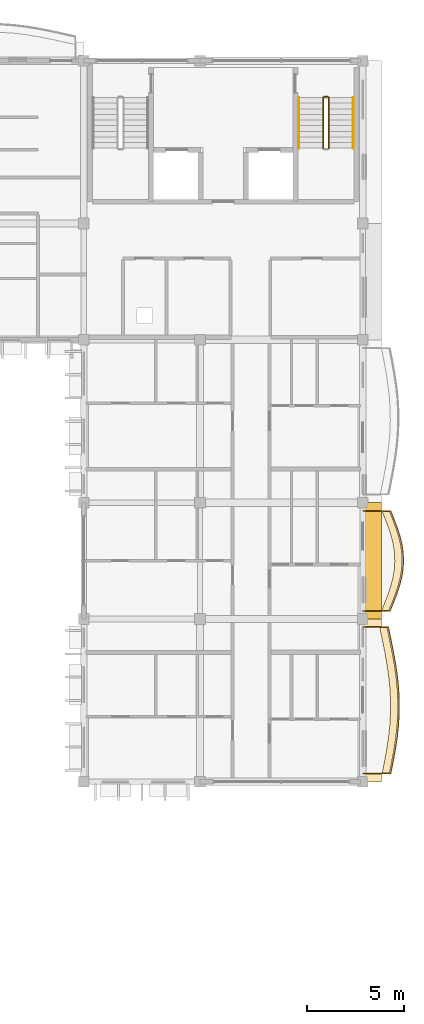
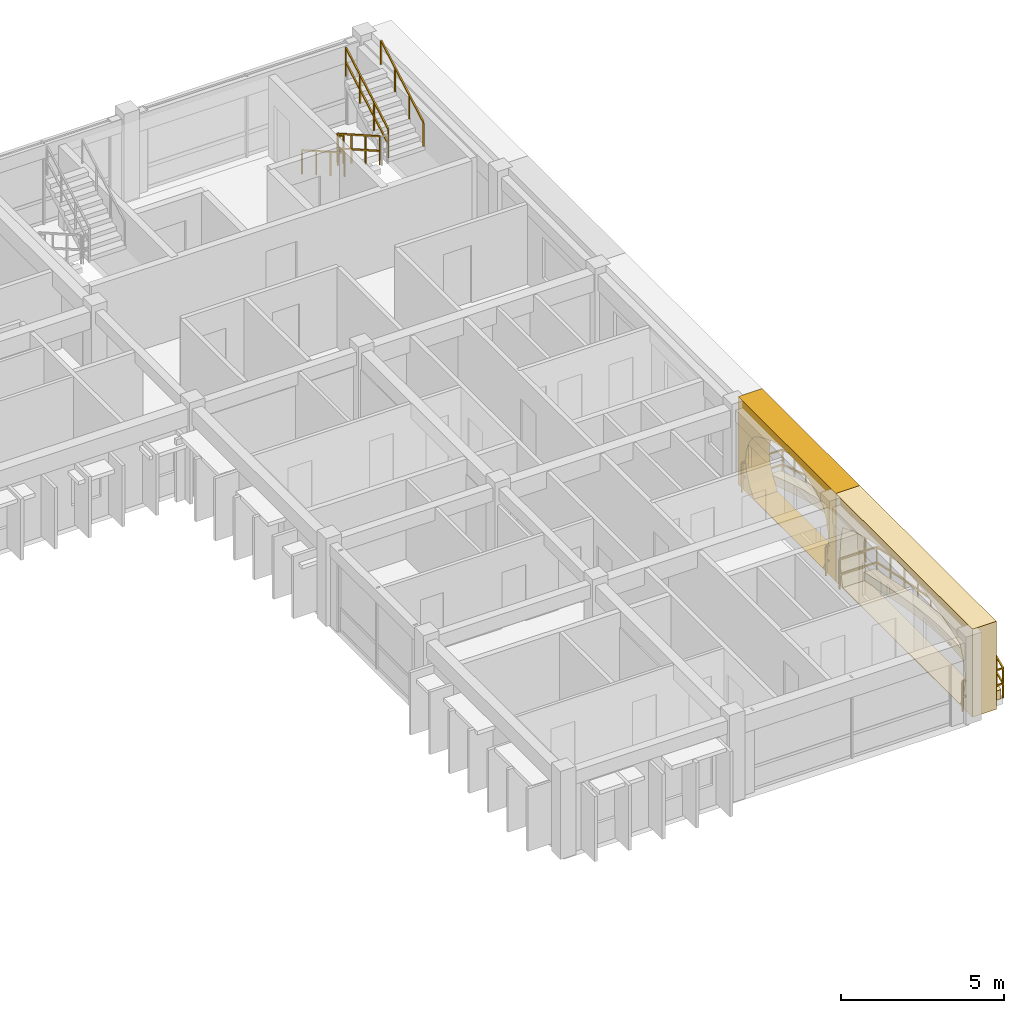
# One storey, part 29 of 31: 7 railings, 4 coverings.
"""IFC4 building model written with IfcOpenShell, lengths in metres."""

from ifc_helpers import new_model, si_unit, direction, frame, origin, origin_2d, place, context, subcontext, project, spatial, polyline, rectangle, outline, extrude, material, layer, layer_set, type_object, element, save


model = new_model("IFC4")

# Units and contexts
model_context = context("Model", 3, precision=1e-05, world=origin(), true_north=direction((0.0, 1.0)))
body_context = subcontext(model_context, "Body", "Model", "MODEL_VIEW")
ifc_project = project(units=[si_unit("LENGTHUNIT", "METRE"), si_unit("AREAUNIT", "SQUARE_METRE"), si_unit("VOLUMEUNIT", "CUBIC_METRE"), si_unit("PLANEANGLEUNIT", "RADIAN"), si_unit("MASSUNIT", "GRAM", prefix="KILO"), si_unit("THERMODYNAMICTEMPERATUREUNIT", "KELVIN")], contexts=[model_context])

# Site, building, storey
site_placement = place(None, origin())
site = spatial("IfcSite", under=ifc_project, at=site_placement, CompositionType="ELEMENT")
building_placement = place(site_placement, origin())
building = spatial("IfcBuilding", under=site, at=building_placement, Name="Thalorik Housing Commons", CompositionType="ELEMENT")
storey_placement = place(building_placement, frame((0.0, 0.0, 37.800048828125)))
storey = spatial("IfcBuildingStorey", under=building, at=storey_placement, Name="L11", CompositionType="ELEMENT", Elevation=37.800048828125)

# Coverings
ifc_material_1 = material(Name="Precast concrete C40/50", Category="concrete")
ifc_layer_1 = layer(ifc_material_1, 0.85009765625, Name="Precast concrete C40/50", Category="concrete")
ifc_layer_set_1 = layer_set([ifc_layer_1], Name="Precast concrete C40/50")
covering_type_1 = type_object("IfcCoveringType", Name="ARC-CLD-CUSH-850", PredefinedType="CLADDING", material=ifc_layer_set_1)
covering_1_placement = place(storey_placement, frame((167.33251953125, 90.60009765625, 0.0), z_axis=(0.0, 0.0, 1.0), x_axis=(0.0, 1.0, 0.0)))
element("IfcCovering", 1, at=covering_1_placement, inside=storey, type_object=covering_type_1, Name="L11 White Precast Curved Cushion Bay Frame 3260", PredefinedType="CLADDING", context=body_context, shape_type="SweptSolid", body=[
    extrude(outline(polyline([(-4.199951171875, 0.0), (4.199951171875, 0.0), (4.199951171875, 3.300048828125), (-4.199951171875, 3.300048828125), (-4.199951171875, 0.0)]), holes=[polyline([(3.77001953125, 0.02490234375), (3.86083984375, 0.40087890625), (3.915283203125, 0.776611328125), (3.933349609375, 1.152587890625), (3.915283203125, 1.5283203125), (3.86083984375, 1.904296875), (3.77001953125, 2.280029296875), (3.168701171875, 2.51123046875), (2.5673828125, 2.693115234375), (1.9658203125, 2.840087890625), (1.364501953125, 2.94970703125), (0.76318359375, 3.01708984375), (0.161865234375, 3.0400390625), (-0.439453125, 3.01708984375), (-1.040771484375, 2.94970703125), (-1.64208984375, 2.840087890625), (-2.243408203125, 2.693115234375), (-2.844970703125, 2.51123046875), (-3.4462890625, 2.280029296875), (-3.614990234375, 1.904296875), (-3.71630859375, 1.5283203125), (-3.75, 1.152587890625), (-3.71630859375, 0.776611328125), (-3.614990234375, 0.40087890625), (-3.4462890625, 0.02490234375), (3.77001953125, 0.02490234375)])]), frame((0.0, 0.425048828125, 0.0), z_axis=(0.0, -1.0, 0.0), x_axis=(1.0, 0.0, 0.0)), (0.0, 0.0, 1.0), 0.85009765625),
])
covering_2_placement = place(storey_placement, frame((167.33251953125, 97.800048828125, 0.0), z_axis=(0.0, 0.0, 1.0), x_axis=(0.0, 1.0, 0.0)))
element("IfcCovering", 2, at=covering_2_placement, inside=storey, type_object=covering_type_1, Name="L11 White Precast Curved Cushion Bay Frame 3262", PredefinedType="CLADDING", context=body_context, shape_type="SweptSolid", body=[
    extrude(outline(polyline([(-3.0, 0.0), (3.0, 0.0), (3.0, 3.300048828125), (-3.0, 3.300048828125), (-3.0, 0.0)]), holes=[polyline([(2.0400390625, 0.02490234375), (2.3232421875, 0.415771484375), (2.493408203125, 0.806640625), (2.550048828125, 1.197509765625), (2.493408203125, 1.58837890625), (2.3232421875, 1.979248046875), (2.0400390625, 2.3701171875), (1.684814453125, 2.573974609375), (1.32958984375, 2.734130859375), (0.974609375, 2.864013671875), (0.619384765625, 2.960205078125), (0.26416015625, 3.02001953125), (-0.091064453125, 3.0400390625), (-0.4462890625, 3.02001953125), (-0.80126953125, 2.960205078125), (-1.156494140625, 2.864013671875), (-1.51171875, 2.734130859375), (-1.86669921875, 2.573974609375), (-2.221923828125, 2.3701171875), (-2.404296875, 1.979248046875), (-2.513671875, 1.58837890625), (-2.550048828125, 1.197509765625), (-2.513671875, 0.806640625), (-2.404296875, 0.415771484375), (-2.221923828125, 0.02490234375), (2.0400390625, 0.02490234375)])]), frame((0.0, 0.425048828125, 0.0), z_axis=(0.0, -1.0, 0.0), x_axis=(1.0, 0.0, 0.0)), (0.0, 0.0, 1.0), 0.85009765625),
])
ifc_material_2 = material(Name="Planted vegetated substrate and terracotta trough", Category="masonry")
ifc_layer_2 = layer(ifc_material_2, 0.340087890625, Name="Planted vegetated substrate and terracotta trough", Category="masonry")
ifc_layer_set_2 = layer_set([ifc_layer_2], Name="Planted vegetated substrate and terracotta trough")
covering_type_2 = type_object("IfcCoveringType", Name="ARC-COV-PLANTER", PredefinedType="USERDEFINED", material=ifc_layer_set_2)
covering_3_placement = place(storey_placement, origin())
element("IfcCovering", 3, at=covering_3_placement, inside=storey, type_object=covering_type_2, Name="L11 Balcony Slab-Edge Planted Trough 5555", ObjectType="PLANTER", PredefinedType="USERDEFINED", context=body_context, shape_type="SweptSolid", body=[
    extrude(outline(polyline([(168.16650390625, 86.820068359375), (168.295654296875, 87.449951171875), (168.4111328125, 88.080078125), (168.505615234375, 88.7099609375), (168.572265625, 89.340087890625), (168.607177734375, 89.969970703125), (168.60791015625, 90.60009765625), (168.57470703125, 91.22998046875), (168.510009765625, 91.860107421875), (168.418212890625, 92.489990234375), (168.30517578125, 93.1201171875), (168.178955078125, 93.75), (168.0478515625, 94.3798828125), (167.667724609375, 94.3798828125), (167.798828125, 93.75), (167.92529296875, 93.1201171875), (168.0380859375, 92.489990234375), (168.1298828125, 91.860107421875), (168.19482421875, 91.22998046875), (168.227783203125, 90.60009765625), (168.22705078125, 89.969970703125), (168.192138671875, 89.340087890625), (168.12548828125, 88.7099609375), (168.03125, 88.080078125), (167.91552734375, 87.449951171875), (167.786376953125, 86.820068359375), (168.16650390625, 86.820068359375)])), origin(), (0.0, 0.0, 1.0), 0.33984375),
])
covering_4_placement = place(storey_placement, origin())
element("IfcCovering", 4, at=covering_4_placement, inside=storey, type_object=covering_type_2, Name="L11 Balcony Slab-Edge Planted Trough 5556", ObjectType="PLANTER", PredefinedType="USERDEFINED", context=body_context, shape_type="SweptSolid", body=[
    extrude(outline(polyline([(168.1357421875, 95.219970703125), (168.314697265625, 95.64990234375), (168.480712890625, 96.080078125), (168.623291015625, 96.510009765625), (168.733154296875, 96.93994140625), (168.80322265625, 97.3701171875), (168.8291015625, 97.800048828125), (168.80908203125, 98.22998046875), (168.744384765625, 98.659912109375), (168.639892578125, 99.090087890625), (168.501953125, 99.52001953125), (168.339599609375, 99.949951171875), (168.163818359375, 100.3798828125), (167.78369140625, 100.3798828125), (167.959716796875, 99.949951171875), (168.121826171875, 99.52001953125), (168.259765625, 99.090087890625), (168.364501953125, 98.659912109375), (168.428955078125, 98.22998046875), (168.448974609375, 97.800048828125), (168.423095703125, 97.3701171875), (168.35302734375, 96.93994140625), (168.2431640625, 96.510009765625), (168.1005859375, 96.080078125), (167.9345703125, 95.64990234375), (167.755859375, 95.219970703125), (168.1357421875, 95.219970703125)])), origin(), (0.0, 0.0, 1.0), 0.33984375),
])

# Railings
ifc_material_3 = material(Name="Steel S355", Category="steel")
railing_type_1 = type_object("IfcRailingType", Name="ARC-RL-BAL-112", PredefinedType="BALUSTRADE", material=ifc_material_3)
railing_1_placement = place(storey_placement, frame((166.800048828125, 95.219970703125, 0.0)))
element("IfcRailing", 5, at=railing_1_placement, inside=storey, type_object=railing_type_1, Name="L11 Cushion Balcony Guardrail 240", PredefinedType="BALUSTRADE", context=body_context, shape_type="SweptSolid", body=[
    extrude(rectangle(XDim=0.050048828125, YDim=0.050048828125, at=origin_2d()), frame((0.0, 0.0, 1.09521484375), z_axis=(1.0, 0.0, 0.0), x_axis=(0.0, 1.0, 0.0)), (0.0, 0.0, 1.0), 1.40576171875),
    extrude(rectangle(XDim=0.050048828125, YDim=0.050048828125, at=origin_2d()), frame((0.0, 0.0, 0.53515625), z_axis=(1.0, 0.0, 0.0), x_axis=(0.0, 1.0, 0.0)), (0.0, 0.0, 1.0), 1.40576171875),
    extrude(rectangle(XDim=0.050048828125, YDim=0.050048828125, at=origin_2d()), frame((1.40576171875, 0.0, 1.09521484375), z_axis=(0.383833356978, 0.923402379286, 0.0), x_axis=(-0.923402379286, 0.383833356978, 0.0)), (0.0, 0.0, 1.0), 0.465576171875),
    extrude(rectangle(XDim=0.050048828125, YDim=0.050048828125, at=origin_2d()), frame((1.40576171875, 0.0, 0.53515625), z_axis=(0.383833356978, 0.923402379286, 0.0), x_axis=(-0.923402379286, 0.383833356978, 0.0)), (0.0, 0.0, 1.0), 0.465576171875),
    extrude(rectangle(XDim=0.050048828125, YDim=0.050048828125, at=origin_2d()), frame((1.58447265625, 0.429931640625, 1.09521484375), z_axis=(0.360503962206, 0.932757681948, 0.0), x_axis=(-0.932757681948, 0.360503962206, 0.0)), (0.0, 0.0, 1.0), 0.461181640625),
    extrude(rectangle(XDim=0.050048828125, YDim=0.050048828125, at=origin_2d()), frame((1.58447265625, 0.429931640625, 0.53515625), z_axis=(0.360503962206, 0.932757681948, 0.0), x_axis=(-0.932757681948, 0.360503962206, 0.0)), (0.0, 0.0, 1.0), 0.461181640625),
    extrude(rectangle(XDim=0.050048828125, YDim=0.050048828125, at=origin_2d()), frame((1.750732421875, 0.860107421875, 1.09521484375), z_axis=(0.3142863993, 0.949328214695, 0.0), x_axis=(-0.949328214695, 0.3142863993, 0.0)), (0.0, 0.0, 1.0), 0.452880859375),
    extrude(rectangle(XDim=0.050048828125, YDim=0.050048828125, at=origin_2d()), frame((1.750732421875, 0.860107421875, 0.53515625), z_axis=(0.3142863993, 0.949328214695, 0.0), x_axis=(-0.949328214695, 0.3142863993, 0.0)), (0.0, 0.0, 1.0), 0.452880859375),
    extrude(rectangle(XDim=0.050048828125, YDim=0.050048828125, at=origin_2d()), frame((1.89306640625, 1.2900390625, 1.09521484375), z_axis=(0.247581052426, 0.96886718516, 0.0), x_axis=(-0.96886718516, 0.247581052426, 0.0)), (0.0, 0.0, 1.0), 0.44384765625),
    extrude(rectangle(XDim=0.050048828125, YDim=0.050048828125, at=origin_2d()), frame((1.89306640625, 1.2900390625, 0.53515625), z_axis=(0.247581052426, 0.96886718516, 0.0), x_axis=(-0.96886718516, 0.247581052426, 0.0)), (0.0, 0.0, 1.0), 0.44384765625),
    extrude(rectangle(XDim=0.050048828125, YDim=0.050048828125, at=origin_2d()), frame((2.0029296875, 1.719970703125, 1.09521484375), z_axis=(0.161310038984, 0.986903780175, 0.0), x_axis=(-0.986903780175, 0.161310038984, 0.0)), (0.0, 0.0, 1.0), 0.435791015625),
    extrude(rectangle(XDim=0.050048828125, YDim=0.050048828125, at=origin_2d()), frame((2.0029296875, 1.719970703125, 0.53515625), z_axis=(0.161310038984, 0.986903780175, 0.0), x_axis=(-0.986903780175, 0.161310038984, 0.0)), (0.0, 0.0, 1.0), 0.435791015625),
    extrude(rectangle(XDim=0.050048828125, YDim=0.050048828125, at=origin_2d()), frame((2.0732421875, 2.150146484375, 1.09521484375), z_axis=(0.059519505953, 0.998227142694, 0.0), x_axis=(-0.998227142694, 0.059519505953, 0.0)), (0.0, 0.0, 1.0), 0.4306640625),
    extrude(rectangle(XDim=0.050048828125, YDim=0.050048828125, at=origin_2d()), frame((2.0732421875, 2.150146484375, 0.53515625), z_axis=(0.059519505953, 0.998227142694, 0.0), x_axis=(-0.998227142694, 0.059519505953, 0.0)), (0.0, 0.0, 1.0), 0.4306640625),
    extrude(rectangle(XDim=0.050048828125, YDim=0.050048828125, at=origin_2d()), frame((2.098876953125, 2.580078125, 1.09521484375), z_axis=(-0.046514052316, 0.998917635712, 0.0), x_axis=(-0.998917635712, -0.046514052316, 0.0)), (0.0, 0.0, 1.0), 0.430419921875),
    extrude(rectangle(XDim=0.050048828125, YDim=0.050048828125, at=origin_2d()), frame((2.098876953125, 2.580078125, 0.53515625), z_axis=(-0.046514052316, 0.998917635712, 0.0), x_axis=(-0.998917635712, -0.046514052316, 0.0)), (0.0, 0.0, 1.0), 0.430419921875),
    extrude(rectangle(XDim=0.050048828125, YDim=0.050048828125, at=origin_2d()), frame((2.078857421875, 3.010009765625, 1.09521484375), z_axis=(-0.148258068514, 0.988948707022, 0.0), x_axis=(-0.988948707022, -0.148258068514, 0.0)), (0.0, 0.0, 1.0), 0.434814453125),
    extrude(rectangle(XDim=0.050048828125, YDim=0.050048828125, at=origin_2d()), frame((2.078857421875, 3.010009765625, 0.53515625), z_axis=(-0.148258068514, 0.988948707022, 0.0), x_axis=(-0.988948707022, -0.148258068514, 0.0)), (0.0, 0.0, 1.0), 0.434814453125),
    extrude(rectangle(XDim=0.050048828125, YDim=0.050048828125, at=origin_2d()), frame((2.014404296875, 3.43994140625, 1.09521484375), z_axis=(-0.236562637415, 0.971616240385, 0.0), x_axis=(-0.971616240385, -0.236562637415, 0.0)), (0.0, 0.0, 1.0), 0.442626953125),
    extrude(rectangle(XDim=0.050048828125, YDim=0.050048828125, at=origin_2d()), frame((2.014404296875, 3.43994140625, 0.53515625), z_axis=(-0.236562637415, 0.971616240385, 0.0), x_axis=(-0.971616240385, -0.236562637415, 0.0)), (0.0, 0.0, 1.0), 0.442626953125),
    extrude(rectangle(XDim=0.050048828125, YDim=0.050048828125, at=origin_2d()), frame((1.90966796875, 3.8701171875, 1.09521484375), z_axis=(-0.305011189479, 0.95234876715, 0.0), x_axis=(-0.95234876715, -0.305011189479, 0.0)), (0.0, 0.0, 1.0), 0.451416015625),
    extrude(rectangle(XDim=0.050048828125, YDim=0.050048828125, at=origin_2d()), frame((1.90966796875, 3.8701171875, 0.53515625), z_axis=(-0.305011189479, 0.95234876715, 0.0), x_axis=(-0.95234876715, -0.305011189479, 0.0)), (0.0, 0.0, 1.0), 0.451416015625),
    extrude(rectangle(XDim=0.050048828125, YDim=0.050048828125, at=origin_2d()), frame((1.77197265625, 4.300048828125, 1.09521484375), z_axis=(-0.353276593611, 0.935518919321, 0.0), x_axis=(-0.935518919321, -0.353276593611, 0.0)), (0.0, 0.0, 1.0), 0.45947265625),
    extrude(rectangle(XDim=0.050048828125, YDim=0.050048828125, at=origin_2d()), frame((1.77197265625, 4.300048828125, 0.53515625), z_axis=(-0.353276593611, 0.935518919321, 0.0), x_axis=(-0.935518919321, -0.353276593611, 0.0)), (0.0, 0.0, 1.0), 0.45947265625),
    extrude(rectangle(XDim=0.050048828125, YDim=0.050048828125, at=origin_2d()), frame((1.609619140625, 4.72998046875, 1.09521484375), z_axis=(-0.378448637558, 0.925622292693, 0.0), x_axis=(-0.925622292693, -0.378448637558, 0.0)), (0.0, 0.0, 1.0), 0.464599609375),
    extrude(rectangle(XDim=0.050048828125, YDim=0.050048828125, at=origin_2d()), frame((1.609619140625, 4.72998046875, 0.53515625), z_axis=(-0.378448637558, 0.925622292693, 0.0), x_axis=(-0.925622292693, -0.378448637558, 0.0)), (0.0, 0.0, 1.0), 0.464599609375),
    extrude(rectangle(XDim=0.050048828125, YDim=0.050048828125, at=origin_2d()), frame((1.433837890625, 5.159912109375, 1.09521484375), z_axis=(-1.0, 0.0, 0.0), x_axis=(0.0, -1.0, 0.0)), (0.0, 0.0, 1.0), 1.433837890625),
    extrude(rectangle(XDim=0.050048828125, YDim=0.050048828125, at=origin_2d()), frame((1.433837890625, 5.159912109375, 0.53515625), z_axis=(-1.0, 0.0, 0.0), x_axis=(0.0, -1.0, 0.0)), (0.0, 0.0, 1.0), 1.433837890625),
    extrude(rectangle(XDim=0.0419921875, YDim=0.0419921875, at=origin_2d()), origin(), (0.0, 0.0, 1.0), 1.070068359375),
    extrude(rectangle(XDim=0.0419921875, YDim=0.0419921875, at=origin_2d()), frame((1.40576171875, 0.0, 0.0)), (0.0, 0.0, 1.0), 1.070068359375),
    extrude(rectangle(XDim=0.0419921875, YDim=0.0419921875, at=origin_2d()), frame((1.58447265625, 0.429931640625, 0.0)), (0.0, 0.0, 1.0), 1.070068359375),
    extrude(rectangle(XDim=0.0419921875, YDim=0.0419921875, at=origin_2d()), frame((1.750732421875, 0.860107421875, 0.0)), (0.0, 0.0, 1.0), 1.070068359375),
    extrude(rectangle(XDim=0.0419921875, YDim=0.0419921875, at=origin_2d()), frame((1.89306640625, 1.2900390625, 0.0)), (0.0, 0.0, 1.0), 1.070068359375),
    extrude(rectangle(XDim=0.0419921875, YDim=0.0419921875, at=origin_2d()), frame((2.0029296875, 1.719970703125, 0.0)), (0.0, 0.0, 1.0), 1.070068359375),
    extrude(rectangle(XDim=0.0419921875, YDim=0.0419921875, at=origin_2d()), frame((2.0732421875, 2.150146484375, 0.0)), (0.0, 0.0, 1.0), 1.070068359375),
    extrude(rectangle(XDim=0.0419921875, YDim=0.0419921875, at=origin_2d()), frame((2.098876953125, 2.580078125, 0.0)), (0.0, 0.0, 1.0), 1.070068359375),
    extrude(rectangle(XDim=0.0419921875, YDim=0.0419921875, at=origin_2d()), frame((2.078857421875, 3.010009765625, 0.0)), (0.0, 0.0, 1.0), 1.070068359375),
    extrude(rectangle(XDim=0.0419921875, YDim=0.0419921875, at=origin_2d()), frame((2.014404296875, 3.43994140625, 0.0)), (0.0, 0.0, 1.0), 1.070068359375),
    extrude(rectangle(XDim=0.0419921875, YDim=0.0419921875, at=origin_2d()), frame((1.90966796875, 3.8701171875, 0.0)), (0.0, 0.0, 1.0), 1.070068359375),
    extrude(rectangle(XDim=0.0419921875, YDim=0.0419921875, at=origin_2d()), frame((1.77197265625, 4.300048828125, 0.0)), (0.0, 0.0, 1.0), 1.070068359375),
    extrude(rectangle(XDim=0.0419921875, YDim=0.0419921875, at=origin_2d()), frame((1.609619140625, 4.72998046875, 0.0)), (0.0, 0.0, 1.0), 1.070068359375),
    extrude(rectangle(XDim=0.0419921875, YDim=0.0419921875, at=origin_2d()), frame((1.433837890625, 5.159912109375, 0.0)), (0.0, 0.0, 1.0), 1.070068359375),
    extrude(rectangle(XDim=0.0419921875, YDim=0.0419921875, at=origin_2d()), frame((0.0, 5.159912109375, 0.0)), (0.0, 0.0, 1.0), 1.070068359375),
])
railing_type_2 = type_object("IfcRailingType", Name="ARC-RL-BAL-115", PredefinedType="BALUSTRADE", material=ifc_material_3)
railing_2_placement = place(storey_placement, frame((166.800048828125, 86.820068359375, 0.0)))
element("IfcRailing", 6, at=railing_2_placement, inside=storey, type_object=railing_type_2, Name="L11 Cushion Balcony Guardrail 239", PredefinedType="BALUSTRADE", context=body_context, shape_type="SweptSolid", body=[
    extrude(rectangle(XDim=0.050048828125, YDim=0.050048828125, at=origin_2d()), frame((0.0, 0.0, 1.125), z_axis=(1.0, 0.0, 0.0), x_axis=(0.0, 1.0, 0.0)), (0.0, 0.0, 1.0), 1.436279296875),
    extrude(rectangle(XDim=0.050048828125, YDim=0.050048828125, at=origin_2d()), frame((0.0, 0.0, 0.5498046875), z_axis=(1.0, 0.0, 0.0), x_axis=(0.0, 1.0, 0.0)), (0.0, 0.0, 1.0), 1.436279296875),
    extrude(rectangle(XDim=0.050048828125, YDim=0.050048828125, at=origin_2d()), frame((1.436279296875, 0.0, 1.125), z_axis=(0.200860058517, 0.979619945128, 0.0), x_axis=(-0.979619945128, 0.200860058517, 0.0)), (0.0, 0.0, 1.0), 0.64306640625),
    extrude(rectangle(XDim=0.050048828125, YDim=0.050048828125, at=origin_2d()), frame((1.436279296875, 0.0, 0.5498046875), z_axis=(0.200860058517, 0.979619945128, 0.0), x_axis=(-0.979619945128, 0.200860058517, 0.0)), (0.0, 0.0, 1.0), 0.64306640625),
    extrude(rectangle(XDim=0.050048828125, YDim=0.050048828125, at=origin_2d()), frame((1.5654296875, 0.6298828125, 1.125), z_axis=(0.180628950644, 0.983551311417, 0.0), x_axis=(-0.983551311417, 0.180628950644, 0.0)), (0.0, 0.0, 1.0), 0.640625),
    extrude(rectangle(XDim=0.050048828125, YDim=0.050048828125, at=origin_2d()), frame((1.5654296875, 0.6298828125, 0.5498046875), z_axis=(0.180628950644, 0.983551311417, 0.0), x_axis=(-0.983551311417, 0.180628950644, 0.0)), (0.0, 0.0, 1.0), 0.640625),
    extrude(rectangle(XDim=0.050048828125, YDim=0.050048828125, at=origin_2d()), frame((1.68115234375, 1.260009765625, 1.125), z_axis=(0.147965546983, 0.988992516102, 0.0), x_axis=(-0.988992516102, 0.147965546983, 0.0)), (0.0, 0.0, 1.0), 0.636962890625),
    extrude(rectangle(XDim=0.050048828125, YDim=0.050048828125, at=origin_2d()), frame((1.68115234375, 1.260009765625, 0.5498046875), z_axis=(0.147965546983, 0.988992516102, 0.0), x_axis=(-0.988992516102, 0.147965546983, 0.0)), (0.0, 0.0, 1.0), 0.636962890625),
    extrude(rectangle(XDim=0.050048828125, YDim=0.050048828125, at=origin_2d()), frame((1.775390625, 1.889892578125, 1.125), z_axis=(0.105186185615, 0.994452546055, 0.0), x_axis=(-0.994452546055, 0.105186185615, 0.0)), (0.0, 0.0, 1.0), 0.633544921875),
    extrude(rectangle(XDim=0.050048828125, YDim=0.050048828125, at=origin_2d()), frame((1.775390625, 1.889892578125, 0.5498046875), z_axis=(0.105186185615, 0.994452546055, 0.0), x_axis=(-0.994452546055, 0.105186185615, 0.0)), (0.0, 0.0, 1.0), 0.633544921875),
    extrude(rectangle(XDim=0.050048828125, YDim=0.050048828125, at=origin_2d()), frame((1.842041015625, 2.52001953125, 1.125), z_axis=(0.055341415121, 0.998467489592, 0.0), x_axis=(-0.998467489592, 0.055341415121, 0.0)), (0.0, 0.0, 1.0), 0.630859375),
    extrude(rectangle(XDim=0.050048828125, YDim=0.050048828125, at=origin_2d()), frame((1.842041015625, 2.52001953125, 0.5498046875), z_axis=(0.055341415121, 0.998467489592, 0.0), x_axis=(-0.998467489592, 0.055341415121, 0.0)), (0.0, 0.0, 1.0), 0.630859375),
    extrude(rectangle(XDim=0.050048828125, YDim=0.050048828125, at=origin_2d()), frame((1.876953125, 3.14990234375, 1.125), z_axis=(0.001549785043, 0.999998799082, 0.0), x_axis=(-0.999998799082, 0.001549785043, 0.0)), (0.0, 0.0, 1.0), 0.630126953125),
    extrude(rectangle(XDim=0.050048828125, YDim=0.050048828125, at=origin_2d()), frame((1.876953125, 3.14990234375, 0.5498046875), z_axis=(0.001549785043, 0.999998799082, 0.0), x_axis=(-0.999998799082, 0.001549785043, 0.0)), (0.0, 0.0, 1.0), 0.630126953125),
    extrude(rectangle(XDim=0.050048828125, YDim=0.050048828125, at=origin_2d()), frame((1.8779296875, 3.780029296875, 1.125), z_axis=(-0.052640094062, 0.998613549126, 0.0), x_axis=(-0.998613549126, -0.052640094062, 0.0)), (0.0, 0.0, 1.0), 0.630859375),
    extrude(rectangle(XDim=0.050048828125, YDim=0.050048828125, at=origin_2d()), frame((1.8779296875, 3.780029296875, 0.5498046875), z_axis=(-0.052640094062, 0.998613549126, 0.0), x_axis=(-0.998613549126, -0.052640094062, 0.0)), (0.0, 0.0, 1.0), 0.630859375),
    extrude(rectangle(XDim=0.050048828125, YDim=0.050048828125, at=origin_2d()), frame((1.8447265625, 4.409912109375, 1.125), z_axis=(-0.102136441616, 0.994770399285, 0.0), x_axis=(-0.994770399285, -0.102136441616, 0.0)), (0.0, 0.0, 1.0), 0.633544921875),
    extrude(rectangle(XDim=0.050048828125, YDim=0.050048828125, at=origin_2d()), frame((1.8447265625, 4.409912109375, 0.5498046875), z_axis=(-0.102136441616, 0.994770399285, 0.0), x_axis=(-0.994770399285, -0.102136441616, 0.0)), (0.0, 0.0, 1.0), 0.633544921875),
    extrude(rectangle(XDim=0.050048828125, YDim=0.050048828125, at=origin_2d()), frame((1.780029296875, 5.0400390625, 1.125), z_axis=(-0.144588540195, 0.989491866588, 0.0), x_axis=(-0.989491866588, -0.144588540195, 0.0)), (0.0, 0.0, 1.0), 0.636474609375),
    extrude(rectangle(XDim=0.050048828125, YDim=0.050048828125, at=origin_2d()), frame((1.780029296875, 5.0400390625, 0.5498046875), z_axis=(-0.144588540195, 0.989491866588, 0.0), x_axis=(-0.989491866588, -0.144588540195, 0.0)), (0.0, 0.0, 1.0), 0.636474609375),
    extrude(rectangle(XDim=0.050048828125, YDim=0.050048828125, at=origin_2d()), frame((1.68798828125, 5.669921875, 1.125), z_axis=(-0.17619982242, 0.98435441919, 0.0), x_axis=(-0.98435441919, -0.17619982242, 0.0)), (0.0, 0.0, 1.0), 0.64013671875),
    extrude(rectangle(XDim=0.050048828125, YDim=0.050048828125, at=origin_2d()), frame((1.68798828125, 5.669921875, 0.5498046875), z_axis=(-0.17619982242, 0.98435441919, 0.0), x_axis=(-0.98435441919, -0.17619982242, 0.0)), (0.0, 0.0, 1.0), 0.64013671875),
    extrude(rectangle(XDim=0.050048828125, YDim=0.050048828125, at=origin_2d()), frame((1.5751953125, 6.300048828125, 1.125), z_axis=(-0.19684687543, 0.980434244421, 0.0), x_axis=(-0.980434244421, -0.19684687543, 0.0)), (0.0, 0.0, 1.0), 0.642333984375),
    extrude(rectangle(XDim=0.050048828125, YDim=0.050048828125, at=origin_2d()), frame((1.5751953125, 6.300048828125, 0.5498046875), z_axis=(-0.19684687543, 0.980434244421, 0.0), x_axis=(-0.980434244421, -0.19684687543, 0.0)), (0.0, 0.0, 1.0), 0.642333984375),
    extrude(rectangle(XDim=0.050048828125, YDim=0.050048828125, at=origin_2d()), frame((1.44873046875, 6.929931640625, 1.125), z_axis=(-0.203408660683, 0.979093926423, 0.0), x_axis=(-0.979093926423, -0.203408660683, 0.0)), (0.0, 0.0, 1.0), 0.643310546875),
    extrude(rectangle(XDim=0.050048828125, YDim=0.050048828125, at=origin_2d()), frame((1.44873046875, 6.929931640625, 0.5498046875), z_axis=(-0.203408660683, 0.979093926423, 0.0), x_axis=(-0.979093926423, -0.203408660683, 0.0)), (0.0, 0.0, 1.0), 0.643310546875),
    extrude(rectangle(XDim=0.050048828125, YDim=0.050048828125, at=origin_2d()), frame((1.31787109375, 7.559814453125, 1.125), z_axis=(-1.0, 0.0, 0.0), x_axis=(0.0, -1.0, 0.0)), (0.0, 0.0, 1.0), 1.31787109375),
    extrude(rectangle(XDim=0.050048828125, YDim=0.050048828125, at=origin_2d()), frame((1.31787109375, 7.559814453125, 0.5498046875), z_axis=(-1.0, 0.0, 0.0), x_axis=(0.0, -1.0, 0.0)), (0.0, 0.0, 1.0), 1.31787109375),
    extrude(rectangle(XDim=0.0419921875, YDim=0.0419921875, at=origin_2d()), origin(), (0.0, 0.0, 1.0), 1.099853515625),
    extrude(rectangle(XDim=0.0419921875, YDim=0.0419921875, at=origin_2d()), frame((1.436279296875, 0.0, 0.0)), (0.0, 0.0, 1.0), 1.099853515625),
    extrude(rectangle(XDim=0.0419921875, YDim=0.0419921875, at=origin_2d()), frame((1.5654296875, 0.6298828125, 0.0)), (0.0, 0.0, 1.0), 1.099853515625),
    extrude(rectangle(XDim=0.0419921875, YDim=0.0419921875, at=origin_2d()), frame((1.68115234375, 1.260009765625, 0.0)), (0.0, 0.0, 1.0), 1.099853515625),
    extrude(rectangle(XDim=0.0419921875, YDim=0.0419921875, at=origin_2d()), frame((1.775390625, 1.889892578125, 0.0)), (0.0, 0.0, 1.0), 1.099853515625),
    extrude(rectangle(XDim=0.0419921875, YDim=0.0419921875, at=origin_2d()), frame((1.842041015625, 2.52001953125, 0.0)), (0.0, 0.0, 1.0), 1.099853515625),
    extrude(rectangle(XDim=0.0419921875, YDim=0.0419921875, at=origin_2d()), frame((1.876953125, 3.14990234375, 0.0)), (0.0, 0.0, 1.0), 1.099853515625),
    extrude(rectangle(XDim=0.0419921875, YDim=0.0419921875, at=origin_2d()), frame((1.8779296875, 3.780029296875, 0.0)), (0.0, 0.0, 1.0), 1.099853515625),
    extrude(rectangle(XDim=0.0419921875, YDim=0.0419921875, at=origin_2d()), frame((1.8447265625, 4.409912109375, 0.0)), (0.0, 0.0, 1.0), 1.099853515625),
    extrude(rectangle(XDim=0.0419921875, YDim=0.0419921875, at=origin_2d()), frame((1.780029296875, 5.0400390625, 0.0)), (0.0, 0.0, 1.0), 1.099853515625),
    extrude(rectangle(XDim=0.0419921875, YDim=0.0419921875, at=origin_2d()), frame((1.68798828125, 5.669921875, 0.0)), (0.0, 0.0, 1.0), 1.099853515625),
    extrude(rectangle(XDim=0.0419921875, YDim=0.0419921875, at=origin_2d()), frame((1.5751953125, 6.300048828125, 0.0)), (0.0, 0.0, 1.0), 1.099853515625),
    extrude(rectangle(XDim=0.0419921875, YDim=0.0419921875, at=origin_2d()), frame((1.44873046875, 6.929931640625, 0.0)), (0.0, 0.0, 1.0), 1.099853515625),
    extrude(rectangle(XDim=0.0419921875, YDim=0.0419921875, at=origin_2d()), frame((1.31787109375, 7.559814453125, 0.0)), (0.0, 0.0, 1.0), 1.099853515625),
    extrude(rectangle(XDim=0.0419921875, YDim=0.0419921875, at=origin_2d()), frame((0.0, 7.559814453125, 0.0)), (0.0, 0.0, 1.0), 1.099853515625),
])
railing_type_3 = type_object("IfcRailingType", Name="ARC-RL-STR-GRD110", PredefinedType="GUARDRAIL", material=ifc_material_3)
railing_3_placement = place(storey_placement, frame((164.75, 121.699951171875, 0.1650390625)))
element("IfcRailing", 7, at=railing_3_placement, inside=storey, type_object=railing_type_3, Name="L11 ST-B2 stair guard 1", PredefinedType="GUARDRAIL", context=body_context, shape_type="SweptSolid", body=[
    extrude(rectangle(XDim=0.048095703125, YDim=0.048095703125, at=origin_2d()), frame((0.0, 0.0, 1.076171875), z_axis=(0.0, -0.869172267526, 0.494509422927), x_axis=(1.0, 0.0, 0.0)), (0.0, 0.0, 1.0), 3.002685546875),
    extrude(rectangle(XDim=0.048095703125, YDim=0.048095703125, at=origin_2d()), frame((0.0, 0.0, 0.52587890625), z_axis=(0.0, -0.869172267526, 0.494509422927), x_axis=(1.0, 0.0, 0.0)), (0.0, 0.0, 1.0), 3.002685546875),
    extrude(rectangle(XDim=0.0419921875, YDim=0.0419921875, at=origin_2d()), origin(), (0.0, 0.0, 1.0), 1.052001953125),
    extrude(rectangle(XDim=0.0419921875, YDim=0.0419921875, at=origin_2d()), frame((0.0, -0.869873046875, 0.494873046875)), (0.0, 0.0, 1.0), 1.052001953125),
    extrude(rectangle(XDim=0.0419921875, YDim=0.0419921875, at=origin_2d()), frame((0.0, -1.739990234375, 0.989990234375)), (0.0, 0.0, 1.0), 1.052001953125),
    extrude(rectangle(XDim=0.0419921875, YDim=0.0419921875, at=origin_2d()), frame((0.0, -2.60986328125, 1.48486328125)), (0.0, 0.0, 1.0), 1.052001953125),
])
railing_4_placement = place(storey_placement, frame((165.050048828125, 119.090087890625, 1.81494140625)))
element("IfcRailing", 8, at=railing_4_placement, inside=storey, type_object=railing_type_3, Name="L11 ST-B2 stair guard 3", PredefinedType="GUARDRAIL", context=body_context, shape_type="SweptSolid", body=[
    extrude(rectangle(XDim=0.048095703125, YDim=0.048095703125, at=origin_2d()), frame((0.0, 0.0, 1.076171875), z_axis=(0.0, 0.869137319866, 0.494570843475), x_axis=(-1.0, 0.0, 0.0)), (0.0, 0.0, 1.0), 3.0029296875),
    extrude(rectangle(XDim=0.048095703125, YDim=0.048095703125, at=origin_2d()), frame((0.0, 0.0, 0.52587890625), z_axis=(0.0, 0.869137319866, 0.494570843475), x_axis=(-1.0, 0.0, 0.0)), (0.0, 0.0, 1.0), 3.0029296875),
    extrude(rectangle(XDim=0.0419921875, YDim=0.0419921875, at=origin_2d()), origin(), (0.0, 0.0, 1.0), 1.052001953125),
    extrude(rectangle(XDim=0.0419921875, YDim=0.0419921875, at=origin_2d()), frame((0.0, 0.869873046875, 0.4951171875)), (0.0, 0.0, 1.0), 1.052001953125),
    extrude(rectangle(XDim=0.0419921875, YDim=0.0419921875, at=origin_2d()), frame((0.0, 1.739990234375, 0.989990234375)), (0.0, 0.0, 1.0), 1.052001953125),
    extrude(rectangle(XDim=0.0419921875, YDim=0.0419921875, at=origin_2d()), frame((0.0, 2.60986328125, 1.485107421875)), (0.0, 0.0, 1.0), 1.052001953125),
])
railing_5_placement = place(storey_placement, frame((164.800048828125, 121.75, 0.0)))
element("IfcRailing", 9, at=railing_5_placement, inside=storey, type_object=railing_type_3, Name="L11 ST-B2 stair guard 4", PredefinedType="GUARDRAIL", context=body_context, shape_type="SweptSolid", body=[
    extrude(rectangle(XDim=0.048095703125, YDim=0.048095703125, at=origin_2d()), frame((0.0, 0.0, 1.076171875), z_axis=(1.0, 0.0, 0.0), x_axis=(0.0, 1.0, 0.0)), (0.0, 0.0, 1.0), 0.199951171875),
    extrude(rectangle(XDim=0.048095703125, YDim=0.048095703125, at=origin_2d()), frame((0.0, 0.0, 0.52587890625), z_axis=(1.0, 0.0, 0.0), x_axis=(0.0, 1.0, 0.0)), (0.0, 0.0, 1.0), 0.199951171875),
    extrude(rectangle(XDim=0.0419921875, YDim=0.0419921875, at=origin_2d()), origin(), (0.0, 0.0, 1.0), 1.052001953125),
    extrude(rectangle(XDim=0.0419921875, YDim=0.0419921875, at=origin_2d()), frame((0.199951171875, 0.0, 0.0)), (0.0, 0.0, 1.0), 1.052001953125),
])
railing_type_4 = type_object("IfcRailingType", Name="ARC-RL-STR-HR092", PredefinedType="HANDRAIL", material=ifc_material_3)
railing_6_placement = place(storey_placement, frame((163.5, 121.699951171875, 0.1650390625)))
element("IfcRailing", 10, at=railing_6_placement, inside=storey, type_object=railing_type_4, Name="L11 ST-B2 stair handrail 1", PredefinedType="HANDRAIL", context=body_context, shape_type="SweptSolid", body=[
    extrude(rectangle(XDim=0.048095703125, YDim=0.048095703125, at=origin_2d()), frame((0.0, 0.0, 0.89599609375), z_axis=(0.0, -0.869172267526, 0.494509422927), x_axis=(1.0, 0.0, 0.0)), (0.0, 0.0, 1.0), 3.002685546875),
    extrude(rectangle(XDim=0.0419921875, YDim=0.0419921875, at=origin_2d()), origin(), (0.0, 0.0, 1.0), 0.871826171875),
    extrude(rectangle(XDim=0.0419921875, YDim=0.0419921875, at=origin_2d()), frame((0.0, -0.869873046875, 0.494873046875)), (0.0, 0.0, 1.0), 0.871826171875),
    extrude(rectangle(XDim=0.0419921875, YDim=0.0419921875, at=origin_2d()), frame((0.0, -1.739990234375, 0.989990234375)), (0.0, 0.0, 1.0), 0.871826171875),
    extrude(rectangle(XDim=0.0419921875, YDim=0.0419921875, at=origin_2d()), frame((0.0, -2.60986328125, 1.48486328125)), (0.0, 0.0, 1.0), 0.871826171875),
])
railing_7_placement = place(storey_placement, frame((166.300048828125, 119.090087890625, 1.81494140625)))
element("IfcRailing", 11, at=railing_7_placement, inside=storey, type_object=railing_type_4, Name="L11 ST-B2 stair handrail 2", PredefinedType="HANDRAIL", context=body_context, shape_type="SweptSolid", body=[
    extrude(rectangle(XDim=0.048095703125, YDim=0.048095703125, at=origin_2d()), frame((0.0, 0.0, 0.89599609375), z_axis=(0.0, 0.869137319866, 0.494570843475), x_axis=(-1.0, 0.0, 0.0)), (0.0, 0.0, 1.0), 3.0029296875),
    extrude(rectangle(XDim=0.0419921875, YDim=0.0419921875, at=origin_2d()), origin(), (0.0, 0.0, 1.0), 0.871826171875),
    extrude(rectangle(XDim=0.0419921875, YDim=0.0419921875, at=origin_2d()), frame((0.0, 0.869873046875, 0.4951171875)), (0.0, 0.0, 1.0), 0.871826171875),
    extrude(rectangle(XDim=0.0419921875, YDim=0.0419921875, at=origin_2d()), frame((0.0, 1.739990234375, 0.989990234375)), (0.0, 0.0, 1.0), 0.871826171875),
    extrude(rectangle(XDim=0.0419921875, YDim=0.0419921875, at=origin_2d()), frame((0.0, 2.60986328125, 1.485107421875)), (0.0, 0.0, 1.0), 0.871826171875),
])

save(model, "model.ifc")
